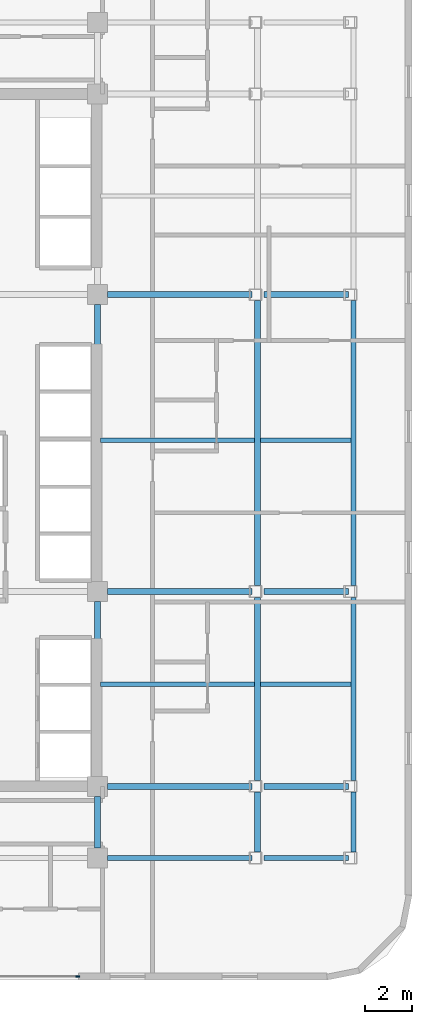
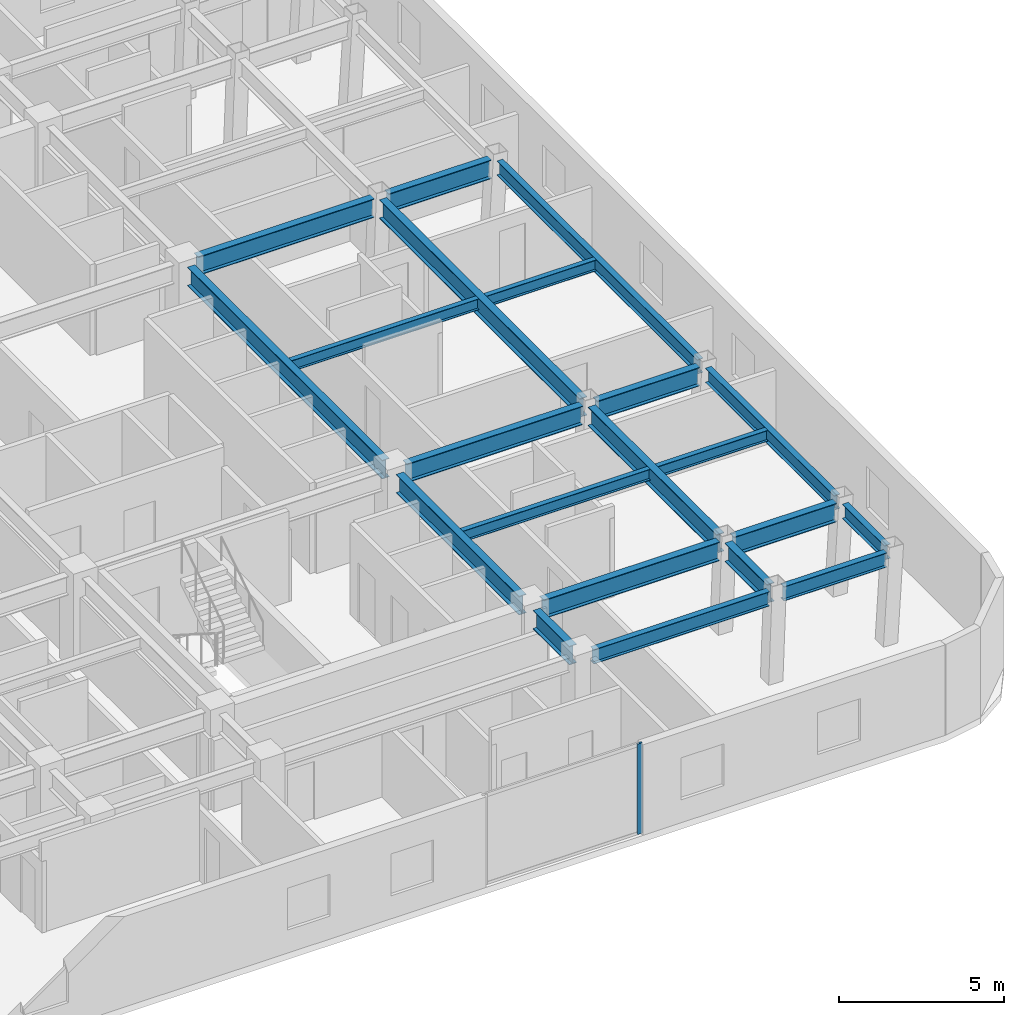
# One storey, part 6 of 13: 21 beams, 1 member, 1 element without a shape of its own.
"""IFC4 building model written with IfcOpenShell, lengths in metres."""

from ifc_helpers import new_model, si_unit, direction, frame, origin, origin_2d, place, context, subcontext, project, spatial, rectangle, i_section, extrude, material, layer, layer_set, material_profile, profile_set, type_object, element, aggregate, save


model = new_model("IFC4")

# Units and contexts
model_context = context("Model", 3, precision=1e-05, world=origin(), true_north=direction((0.0, 1.0)))
body_context = subcontext(model_context, "Body", "Model", "MODEL_VIEW")
ifc_project = project(units=[si_unit("LENGTHUNIT", "METRE"), si_unit("AREAUNIT", "SQUARE_METRE"), si_unit("VOLUMEUNIT", "CUBIC_METRE"), si_unit("PLANEANGLEUNIT", "RADIAN"), si_unit("MASSUNIT", "GRAM", prefix="KILO")], contexts=[model_context])

# Site, building, storey
site_placement = place(None, origin())
site = spatial("IfcSite", under=ifc_project, at=site_placement, CompositionType="ELEMENT")
building_placement = place(site_placement, origin())
building = spatial("IfcBuilding", under=site, at=building_placement, Name="Ochreholt Gables", CompositionType="ELEMENT")
storey_placement = place(building_placement, frame((0.0, 0.0, 56.39990234375)))
storey = spatial("IfcBuildingStorey", under=building, at=storey_placement, Name="L14", CompositionType="ELEMENT", Elevation=56.39990234375)

# Beams
ifc_material_1 = material(Name="Steel CSA G40.21 350W", Category="steel")
ifc_material_profile_1 = material_profile(ifc_material_1, i_section(OverallWidth=0.256103515625, OverallDepth=0.693115234375, WebThickness=0.014404296875, FlangeThickness=0.023681640625, at=origin_2d()), Name="W690X170")
ifc_profile_set_1 = profile_set([ifc_material_profile_1], Name="Steel CSA G40.21 350W")
beam_type_1 = type_object("IfcBeamType", Name="BM-G-W690", PredefinedType="BEAM", material=ifc_profile_set_1)
beam_1_placement = place(storey_placement, frame((35.62451171875, 9.25, 3.003662109375), z_axis=(1.0, 0.0, 0.0), x_axis=(0.0, 1.0, 0.0)))
element("IfcBeam", 1, at=beam_1_placement, inside=storey, type_object=beam_type_1, Name="L14 Beam TBG-L14-C2EM-Y2", PredefinedType="BEAM", context=body_context, shape_type="SweptSolid", body=[
    extrude(i_section(OverallWidth=0.256103515625, OverallDepth=0.693115234375, WebThickness=0.014404296875, FlangeThickness=0.023681640625, at=origin_2d()), origin(), (0.0, 0.0, 1.0), 6.161865234375),
])
beam_2_placement = place(storey_placement, frame((42.28564453125, 9.25, 3.003662109375), z_axis=(1.0, 0.0, 0.0), x_axis=(0.0, 1.0, 0.0)))
element("IfcBeam", 2, at=beam_2_placement, inside=storey, type_object=beam_type_1, Name="L14 Beam TBG-L14-EMEE-Y2", PredefinedType="BEAM", context=body_context, shape_type="SweptSolid", body=[
    extrude(i_section(OverallWidth=0.256103515625, OverallDepth=0.693115234375, WebThickness=0.014404296875, FlangeThickness=0.023681640625, at=origin_2d()), origin(), (0.0, 0.0, 1.0), 3.6015625),
])
beam_3_placement = place(storey_placement, frame((35.62451171875, 17.550048828125, 3.003662109375), z_axis=(1.0, 0.0, 0.0), x_axis=(0.0, 1.0, 0.0)))
element("IfcBeam", 3, at=beam_3_placement, inside=storey, type_object=beam_type_1, Name="L14 Beam TBG-L14-C2EM-Y3", PredefinedType="BEAM", context=body_context, shape_type="SweptSolid", body=[
    extrude(i_section(OverallWidth=0.256103515625, OverallDepth=0.693115234375, WebThickness=0.014404296875, FlangeThickness=0.023681640625, at=origin_2d()), origin(), (0.0, 0.0, 1.0), 6.161865234375),
])
beam_4_placement = place(storey_placement, frame((42.28564453125, 17.550048828125, 3.003662109375), z_axis=(1.0, 0.0, 0.0), x_axis=(0.0, 1.0, 0.0)))
element("IfcBeam", 4, at=beam_4_placement, inside=storey, type_object=beam_type_1, Name="L14 Beam TBG-L14-EMEE-Y3", PredefinedType="BEAM", context=body_context, shape_type="SweptSolid", body=[
    extrude(i_section(OverallWidth=0.256103515625, OverallDepth=0.693115234375, WebThickness=0.014404296875, FlangeThickness=0.023681640625, at=origin_2d()), origin(), (0.0, 0.0, 1.0), 3.6015625),
])
beam_5_placement = place(storey_placement, frame((35.62451171875, 30.199951171875, 3.003662109375), z_axis=(1.0, 0.0, 0.0), x_axis=(0.0, 1.0, 0.0)))
element("IfcBeam", 5, at=beam_5_placement, inside=storey, type_object=beam_type_1, Name="L14 Beam TBG-L14-C2EM-Y4", PredefinedType="BEAM", context=body_context, shape_type="SweptSolid", body=[
    extrude(i_section(OverallWidth=0.256103515625, OverallDepth=0.693115234375, WebThickness=0.014404296875, FlangeThickness=0.023681640625, at=origin_2d()), origin(), (0.0, 0.0, 1.0), 6.161865234375),
])
beam_6_placement = place(storey_placement, frame((42.28564453125, 30.199951171875, 3.003662109375), z_axis=(1.0, 0.0, 0.0), x_axis=(0.0, 1.0, 0.0)))
element("IfcBeam", 6, at=beam_6_placement, inside=storey, type_object=beam_type_1, Name="L14 Beam TBG-L14-EMEE-Y4", PredefinedType="BEAM", context=body_context, shape_type="SweptSolid", body=[
    extrude(i_section(OverallWidth=0.256103515625, OverallDepth=0.693115234375, WebThickness=0.014404296875, FlangeThickness=0.023681640625, at=origin_2d()), origin(), (0.0, 0.0, 1.0), 3.6015625),
])
beam_7_placement = place(storey_placement, frame((35.199951171875, 6.62451171875, 3.003662109375), z_axis=(0.0, 1.0, 0.0), x_axis=(-1.0, 0.0, 0.0)))
element("IfcBeam", 7, at=beam_7_placement, inside=storey, type_object=beam_type_1, Name="L14 Beam TBN-L14-C2-Y1Y2", PredefinedType="BEAM", context=body_context, shape_type="SweptSolid", body=[
    extrude(i_section(OverallWidth=0.256103515625, OverallDepth=0.693115234375, WebThickness=0.014404296875, FlangeThickness=0.023681640625, at=origin_2d()), origin(), (0.0, 0.0, 1.0), 2.200927734375),
])
beam_8_placement = place(storey_placement, frame((35.199951171875, 9.674560546875, 3.003662109375), z_axis=(0.0, 1.0, 0.0), x_axis=(-1.0, 0.0, 0.0)))
element("IfcBeam", 8, at=beam_8_placement, inside=storey, type_object=beam_type_1, Name="L14 Beam TBN-L14-C2-Y2Y3", PredefinedType="BEAM", context=body_context, shape_type="SweptSolid", body=[
    extrude(i_section(OverallWidth=0.256103515625, OverallDepth=0.693115234375, WebThickness=0.014404296875, FlangeThickness=0.023681640625, at=origin_2d()), origin(), (0.0, 0.0, 1.0), 7.450927734375),
])
beam_9_placement = place(storey_placement, frame((35.199951171875, 17.974609375, 3.003662109375), z_axis=(0.0, 1.0, 0.0), x_axis=(-1.0, 0.0, 0.0)))
element("IfcBeam", 9, at=beam_9_placement, inside=storey, type_object=beam_type_1, Name="L14 Beam TBN-L14-C2-Y3Y4", PredefinedType="BEAM", context=body_context, shape_type="SweptSolid", body=[
    extrude(i_section(OverallWidth=0.256103515625, OverallDepth=0.693115234375, WebThickness=0.014404296875, FlangeThickness=0.023681640625, at=origin_2d()), origin(), (0.0, 0.0, 1.0), 11.80078125),
])
beam_10_placement = place(storey_placement, frame((42.0185546875, 6.44970703125, 3.003662109375), z_axis=(0.0, 1.0, 0.0), x_axis=(-1.0, 0.0, 0.0)))
element("IfcBeam", 10, at=beam_10_placement, inside=storey, type_object=beam_type_1, Name="L14 Beam TBN-L14-EM-Y1Y2", PredefinedType="BEAM", context=body_context, shape_type="SweptSolid", body=[
    extrude(i_section(OverallWidth=0.256103515625, OverallDepth=0.693115234375, WebThickness=0.014404296875, FlangeThickness=0.023681640625, at=origin_2d()), origin(), (0.0, 0.0, 1.0), 2.55078125),
])
beam_11_placement = place(storey_placement, frame((42.0185546875, 9.49951171875, 3.003662109375), z_axis=(0.0, 1.0, 0.0), x_axis=(-1.0, 0.0, 0.0)))
element("IfcBeam", 11, at=beam_11_placement, inside=storey, type_object=beam_type_1, Name="L14 Beam TBN-L14-EM-Y2Y3", PredefinedType="BEAM", context=body_context, shape_type="SweptSolid", body=[
    extrude(i_section(OverallWidth=0.256103515625, OverallDepth=0.693115234375, WebThickness=0.014404296875, FlangeThickness=0.023681640625, at=origin_2d()), origin(), (0.0, 0.0, 1.0), 7.80078125),
])
beam_12_placement = place(storey_placement, frame((42.0185546875, 17.799560546875, 3.003662109375), z_axis=(0.0, 1.0, 0.0), x_axis=(-1.0, 0.0, 0.0)))
element("IfcBeam", 12, at=beam_12_placement, inside=storey, type_object=beam_type_1, Name="L14 Beam TBN-L14-EM-Y3Y4", PredefinedType="BEAM", context=body_context, shape_type="SweptSolid", body=[
    extrude(i_section(OverallWidth=0.256103515625, OverallDepth=0.693115234375, WebThickness=0.014404296875, FlangeThickness=0.023681640625, at=origin_2d()), origin(), (0.0, 0.0, 1.0), 12.15087890625),
])
ifc_material_profile_2 = material_profile(ifc_material_1, i_section(OverallWidth=0.178955078125, OverallDepth=0.409912109375, WebThickness=0.0087890625, FlangeThickness=0.014404296875, at=origin_2d()), Name="W410X67")
ifc_profile_set_2 = profile_set([ifc_material_profile_2], Name="Steel CSA G40.21 350W")
beam_type_2 = type_object("IfcBeamType", Name="BM-J-W410", PredefinedType="JOIST", material=ifc_profile_set_2)
beam_13_placement = place(storey_placement, frame((35.32763671875, 13.60009765625, 3.14501953125), z_axis=(1.0, 0.0, 0.0), x_axis=(0.0, 1.0, 0.0)))
element("IfcBeam", 13, at=beam_13_placement, inside=storey, type_object=beam_type_2, Name="L14 Beam TBJ-L14-J1-C2EM", PredefinedType="JOIST", context=body_context, shape_type="SweptSolid", body=[
    extrude(i_section(OverallWidth=0.178955078125, OverallDepth=0.409912109375, WebThickness=0.0087890625, FlangeThickness=0.014404296875, at=origin_2d()), origin(), (0.0, 0.0, 1.0), 6.563232421875),
])
beam_14_placement = place(storey_placement, frame((42.14599609375, 13.60009765625, 3.14501953125), z_axis=(1.0, 0.0, 0.0), x_axis=(0.0, 1.0, 0.0)))
element("IfcBeam", 14, at=beam_14_placement, inside=storey, type_object=beam_type_2, Name="L14 Beam TBJ-L14-J1-EMEE", PredefinedType="JOIST", context=body_context, shape_type="SweptSolid", body=[
    extrude(i_section(OverallWidth=0.178955078125, OverallDepth=0.409912109375, WebThickness=0.0087890625, FlangeThickness=0.014404296875, at=origin_2d()), origin(), (0.0, 0.0, 1.0), 3.857666015625),
])
beam_15_placement = place(storey_placement, frame((35.32763671875, 24.0, 3.14501953125), z_axis=(1.0, 0.0, 0.0), x_axis=(0.0, 1.0, 0.0)))
element("IfcBeam", 15, at=beam_15_placement, inside=storey, type_object=beam_type_2, Name="L14 Beam TBJ-L14-J2-C2EM", PredefinedType="JOIST", context=body_context, shape_type="SweptSolid", body=[
    extrude(i_section(OverallWidth=0.178955078125, OverallDepth=0.409912109375, WebThickness=0.0087890625, FlangeThickness=0.014404296875, at=origin_2d()), origin(), (0.0, 0.0, 1.0), 6.563232421875),
])
beam_16_placement = place(storey_placement, frame((42.14599609375, 24.0, 3.14501953125), z_axis=(1.0, 0.0, 0.0), x_axis=(0.0, 1.0, 0.0)))
element("IfcBeam", 16, at=beam_16_placement, inside=storey, type_object=beam_type_2, Name="L14 Beam TBJ-L14-J2-EMEE", PredefinedType="JOIST", context=body_context, shape_type="SweptSolid", body=[
    extrude(i_section(OverallWidth=0.178955078125, OverallDepth=0.409912109375, WebThickness=0.0087890625, FlangeThickness=0.014404296875, at=origin_2d()), origin(), (0.0, 0.0, 1.0), 3.857666015625),
])
ifc_material_profile_3 = material_profile(ifc_material_1, i_section(OverallWidth=0.208984375, OverallDepth=0.532958984375, WebThickness=0.01025390625, FlangeThickness=0.015625, at=origin_2d()), Name="W530X92")
ifc_profile_set_3 = profile_set([ifc_material_profile_3], Name="Steel CSA G40.21 350W")
beam_type_3 = type_object("IfcBeamType", Name="BM-SP-W530B", PredefinedType="SPANDREL", material=ifc_profile_set_3)
beam_17_placement = place(storey_placement, frame((35.62451171875, 6.199951171875, 3.08349609375), z_axis=(1.0, 0.0, 0.0), x_axis=(0.0, 1.0, 0.0)))
element("IfcBeam", 17, at=beam_17_placement, inside=storey, type_object=beam_type_3, Name="L14 Beam TBG-L14-C2EM-Y1", PredefinedType="SPANDREL", context=body_context, shape_type="SweptSolid", body=[
    extrude(i_section(OverallWidth=0.208984375, OverallDepth=0.532958984375, WebThickness=0.01025390625, FlangeThickness=0.015625, at=origin_2d()), origin(), (0.0, 0.0, 1.0), 6.161865234375),
])
beam_18_placement = place(storey_placement, frame((42.28564453125, 6.199951171875, 3.08349609375), z_axis=(1.0, 0.0, 0.0), x_axis=(0.0, 1.0, 0.0)))
element("IfcBeam", 18, at=beam_18_placement, inside=storey, type_object=beam_type_3, Name="L14 Beam TBG-L14-EMEE-Y1", PredefinedType="SPANDREL", context=body_context, shape_type="SweptSolid", body=[
    extrude(i_section(OverallWidth=0.208984375, OverallDepth=0.532958984375, WebThickness=0.01025390625, FlangeThickness=0.015625, at=origin_2d()), origin(), (0.0, 0.0, 1.0), 3.6015625),
])
beam_19_placement = place(storey_placement, frame((46.10791015625, 6.44970703125, 3.08349609375), z_axis=(0.0, 1.0, 0.0), x_axis=(-1.0, 0.0, 0.0)))
element("IfcBeam", 19, at=beam_19_placement, inside=storey, type_object=beam_type_3, Name="L14 Beam TBN-L14-EE-Y1Y2", PredefinedType="SPANDREL", context=body_context, shape_type="SweptSolid", body=[
    extrude(i_section(OverallWidth=0.208984375, OverallDepth=0.532958984375, WebThickness=0.01025390625, FlangeThickness=0.015625, at=origin_2d()), origin(), (0.0, 0.0, 1.0), 2.55078125),
])
beam_20_placement = place(storey_placement, frame((46.10791015625, 9.49951171875, 3.08349609375), z_axis=(0.0, 1.0, 0.0), x_axis=(-1.0, 0.0, 0.0)))
element("IfcBeam", 20, at=beam_20_placement, inside=storey, type_object=beam_type_3, Name="L14 Beam TBN-L14-EE-Y2Y3", PredefinedType="SPANDREL", context=body_context, shape_type="SweptSolid", body=[
    extrude(i_section(OverallWidth=0.208984375, OverallDepth=0.532958984375, WebThickness=0.01025390625, FlangeThickness=0.015625, at=origin_2d()), origin(), (0.0, 0.0, 1.0), 7.80078125),
])
beam_21_placement = place(storey_placement, frame((46.10791015625, 17.799560546875, 3.08349609375), z_axis=(0.0, 1.0, 0.0), x_axis=(-1.0, 0.0, 0.0)))
element("IfcBeam", 21, at=beam_21_placement, inside=storey, type_object=beam_type_3, Name="L14 Beam TBN-L14-EE-Y3Y4", PredefinedType="SPANDREL", context=body_context, shape_type="SweptSolid", body=[
    extrude(i_section(OverallWidth=0.208984375, OverallDepth=0.532958984375, WebThickness=0.01025390625, FlangeThickness=0.015625, at=origin_2d()), origin(), (0.0, 0.0, 1.0), 12.15087890625),
])

# Curtain wall, member
ifc_material_2 = material(Name="Unitised Aluminium and Triple Glazing", Category="aluminium")
ifc_layer = layer(ifc_material_2, 0.179931640625, Name="Unitised Aluminium and Triple Glazing")
ifc_layer_set = layer_set([ifc_layer], Name="Unitised Aluminium and Triple Glazing")
curtain_wall_type = type_object("IfcCurtainWallType", Name="CW-SYS2", PredefinedType="NOTDEFINED", material=ifc_layer_set)
curtain_wall_placement = place(storey_placement, origin())
curtain_wall = element("IfcCurtainWall", 22, at=curtain_wall_placement, inside=storey, type_object=curtain_wall_type, Name="L14 South Unitised Curtain Wall", PredefinedType="NOTDEFINED")
ifc_material_3 = material(Name="Anodized Aluminium 6063-T6", Category="aluminium")
ifc_material_profile_4 = material_profile(ifc_material_3, rectangle(XDim=0.06494140625, YDim=0.1650390625, at=origin_2d()), Name="CWM65X165")
ifc_profile_set_4 = profile_set([ifc_material_profile_4], Name="Anodized Aluminium 6063-T6")
member_type = type_object("IfcMemberType", Name="CW-MUL-B", PredefinedType="MULLION", material=ifc_profile_set_4)
member_placement = place(storey_placement, frame((34.367431640625, 1.14501953125, 0.0), z_axis=(0.0, 0.0, 1.0), x_axis=(0.0, 1.0, 0.0)))
member = element("IfcMember", 23, at=member_placement, type_object=member_type, Name="CW-2 mullion 2", PredefinedType="MULLION", context=body_context, shape_type="SweptSolid", body=[
    extrude(rectangle(XDim=0.06494140625, YDim=0.1650390625, at=origin_2d()), origin(), (0.0, 0.0, 1.0), 3.35009765625),
])
aggregate(curtain_wall, [member])

save(model, "model.ifc")
